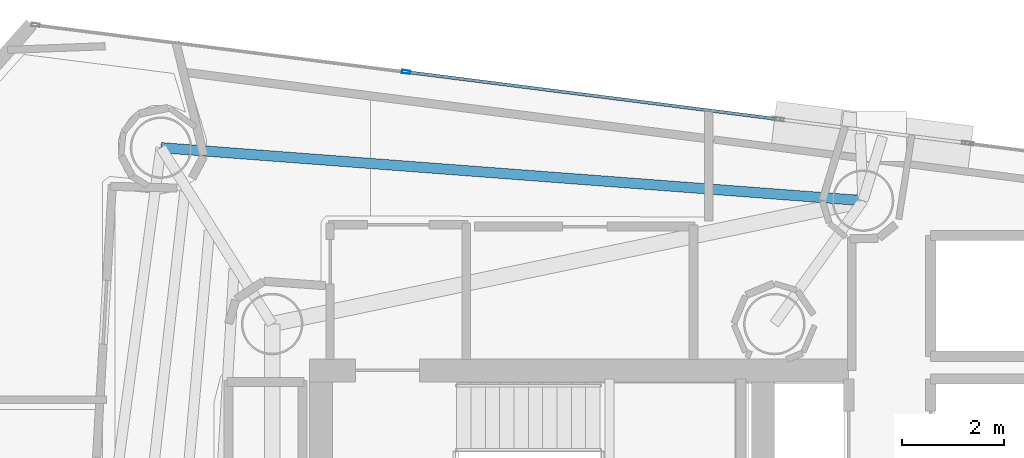
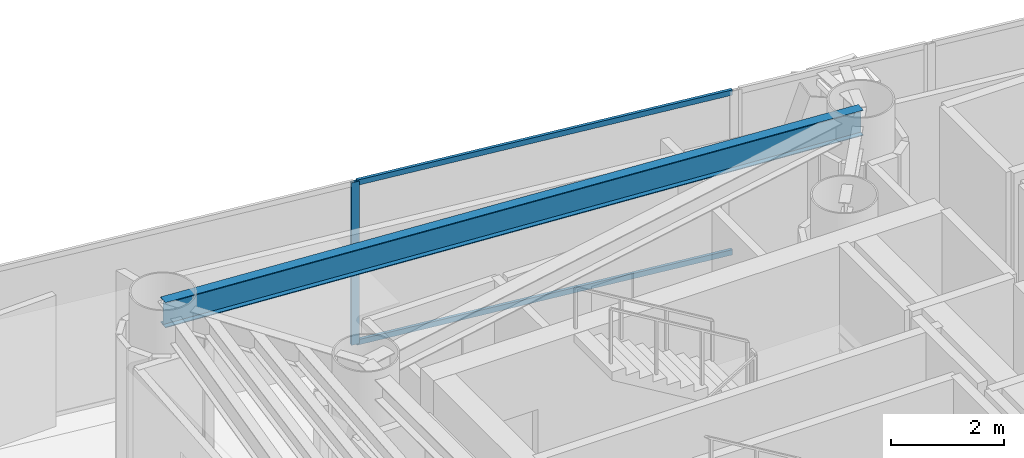
# One storey, part 12 of 23: 3 members, 1 beam, 1 element without a shape of its own.
"""IFC4 building model written with IfcOpenShell, lengths in metres."""

from ifc_helpers import new_model, si_unit, direction, frame, origin, origin_2d, place, context, subcontext, project, spatial, hollow_rectangle, i_section, extrude, material, layer, layer_set, material_profile, profile_set, type_object, element, aggregate, save


model = new_model("IFC4")

# Units and contexts
model_context = context("Model", 3, precision=1e-05, world=origin(), true_north=direction((0.0, 1.0)))
body_context = subcontext(model_context, "Body", "Model", "MODEL_VIEW")
ifc_project = project(units=[si_unit("LENGTHUNIT", "METRE"), si_unit("AREAUNIT", "SQUARE_METRE"), si_unit("VOLUMEUNIT", "CUBIC_METRE"), si_unit("PLANEANGLEUNIT", "RADIAN"), si_unit("MASSUNIT", "GRAM", prefix="KILO")], contexts=[model_context])

# Site, building, storey
site_placement = place(None, origin())
site = spatial("IfcSite", under=ifc_project, at=site_placement, CompositionType="ELEMENT")
building_placement = place(site_placement, origin())
building = spatial("IfcBuilding", under=site, at=building_placement, Name="Qianvela Tower", CompositionType="ELEMENT")
storey_placement = place(building_placement, frame((0.0, 0.0, 218.800048828125)))
storey = spatial("IfcBuildingStorey", under=building, at=storey_placement, Name="L56", CompositionType="ELEMENT", Elevation=218.800048828125)

# Beam
ifc_material_1 = material(Name="Steel Q355B", Category="steel")
ifc_material_profile_1 = material_profile(ifc_material_1, i_section(OverallWidth=0.199951171875, OverallDepth=0.550048828125, WebThickness=0.010009765625, FlangeThickness=0.01611328125, at=origin_2d()), Name="HN550x200x10x16")
ifc_profile_set_1 = profile_set([ifc_material_profile_1], Name="Steel Q355B")
beam_type = type_object("IfcBeamType", Name="BM-HN550-GIRD", PredefinedType="BEAM", material=ifc_profile_set_1)
beam_placement = place(storey_placement, frame((40.131103515625, 35.9580078125, 3.242919921875), z_axis=(-0.997164346928, 0.075254669065, 0.0), x_axis=(-0.075254669065, -0.997164346928, 0.0)))
element("IfcBeam", 1, at=beam_placement, inside=storey, type_object=beam_type, Name="L56 Perimeter Ring Spandrel Girder 2", PredefinedType="BEAM", context=body_context, shape_type="SweptSolid", body=[
    extrude(i_section(OverallWidth=0.199951171875, OverallDepth=0.550048828125, WebThickness=0.010009765625, FlangeThickness=0.01611328125, at=origin_2d()), origin(), (0.0, 0.0, 1.0), 13.7392578125),
])

# Curtain wall, members
ifc_material_2 = material(Name="Anodised Architectural Aluminium and Low-E Glass", Category="aluminium")
ifc_layer = layer(ifc_material_2, 0.159912109375)
ifc_layer_set = layer_set([ifc_layer], Name="Anodised Architectural Aluminium and Low-E Glass")
curtain_wall_type = type_object("IfcCurtainWallType", Name="CW-COLIV-Z56", PredefinedType="USERDEFINED", material=ifc_layer_set)
curtain_wall_placement = place(storey_placement, origin())
curtain_wall = element("IfcCurtainWall", 2, at=curtain_wall_placement, inside=storey, type_object=curtain_wall_type, Name="L56 CW-COLIV-Z56 Curtain Wall 02C", ObjectType="CURTAIN_WALL_SYSTEM", PredefinedType="USERDEFINED")
ifc_material_3 = material(Name="Anodised Architectural Aluminium 6063-T6", Category="aluminium")
ifc_material_profile_2 = material_profile(ifc_material_3, hollow_rectangle(XDim=0.06494140625, YDim=0.159912109375, WallThickness=0.0048828125, at=origin_2d()), Name="ALU-MULL-65x160")
ifc_profile_set_2 = profile_set([ifc_material_profile_2], Name="Anodised Architectural Aluminium 6063-T6")
member_type_1 = type_object("IfcMemberType", Name="CW-COLIV-Z56-MULL", PredefinedType="MULLION", material=ifc_profile_set_2)
member_1_placement = place(storey_placement, frame((31.212158203125, 38.468994140625, 0.0), z_axis=(0.0, 0.0, 1.0), x_axis=(-0.125902539925, -0.992042615234, 0.0)))
member_1 = element("IfcMember", 3, at=member_1_placement, type_object=member_type_1, Name="CW-5 mullion 2", PredefinedType="MULLION", context=body_context, shape_type="SweptSolid", body=[
    extrude(hollow_rectangle(XDim=0.06494140625, YDim=0.159912109375, WallThickness=0.0048828125, at=origin_2d()), origin(), (0.0, 0.0, 1.0), 3.52001953125),
])
ifc_material_4 = material(Name="Anodised Architectural Aluminium 6063-T6", Category="aluminium")
ifc_material_profile_3 = material_profile(ifc_material_4, hollow_rectangle(XDim=0.06005859375, YDim=0.114990234375, WallThickness=0.00390625, at=origin_2d()), Name="ALU-TRAN-60x115")
ifc_profile_set_3 = profile_set([ifc_material_profile_3], Name="Anodised Architectural Aluminium 6063-T6")
member_type_2 = type_object("IfcMemberType", Name="CW-COLIV-Z56-TRAN", PredefinedType="USERDEFINED", material=ifc_profile_set_3)
member_2_placement = place(storey_placement, frame((38.409423828125, 37.5556640625, 0.030029296875), z_axis=(-0.992041036238, 0.125914980918, 0.0), x_axis=(-0.125914980918, -0.992041036238, 0.0)))
member_2 = element("IfcMember", 4, at=member_2_placement, type_object=member_type_2, Name="CW-5 transom 1.1", ObjectType="TRANSOM", PredefinedType="USERDEFINED", context=body_context, shape_type="SweptSolid", body=[
    extrude(hollow_rectangle(XDim=0.06005859375, YDim=0.114990234375, WallThickness=0.00390625, at=origin_2d()), origin(), (0.0, 0.0, 1.0), 7.222412109375),
])
member_3_placement = place(storey_placement, frame((38.409423828125, 37.5556640625, 3.489990234375), z_axis=(-0.992041036238, 0.125914980918, 0.0), x_axis=(-0.125914980918, -0.992041036238, 0.0)))
member_3 = element("IfcMember", 5, at=member_3_placement, type_object=member_type_2, Name="CW-5 transom 1.2", ObjectType="TRANSOM", PredefinedType="USERDEFINED", context=body_context, shape_type="SweptSolid", body=[
    extrude(hollow_rectangle(XDim=0.06005859375, YDim=0.114990234375, WallThickness=0.00390625, at=origin_2d()), origin(), (0.0, 0.0, 1.0), 7.222412109375),
])
aggregate(curtain_wall, [member_1, member_2, member_3])

save(model, "model.ifc")
